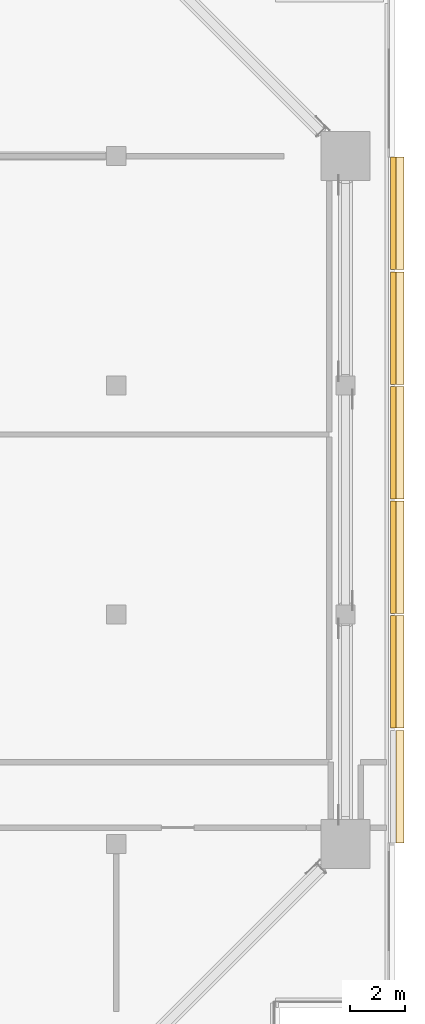
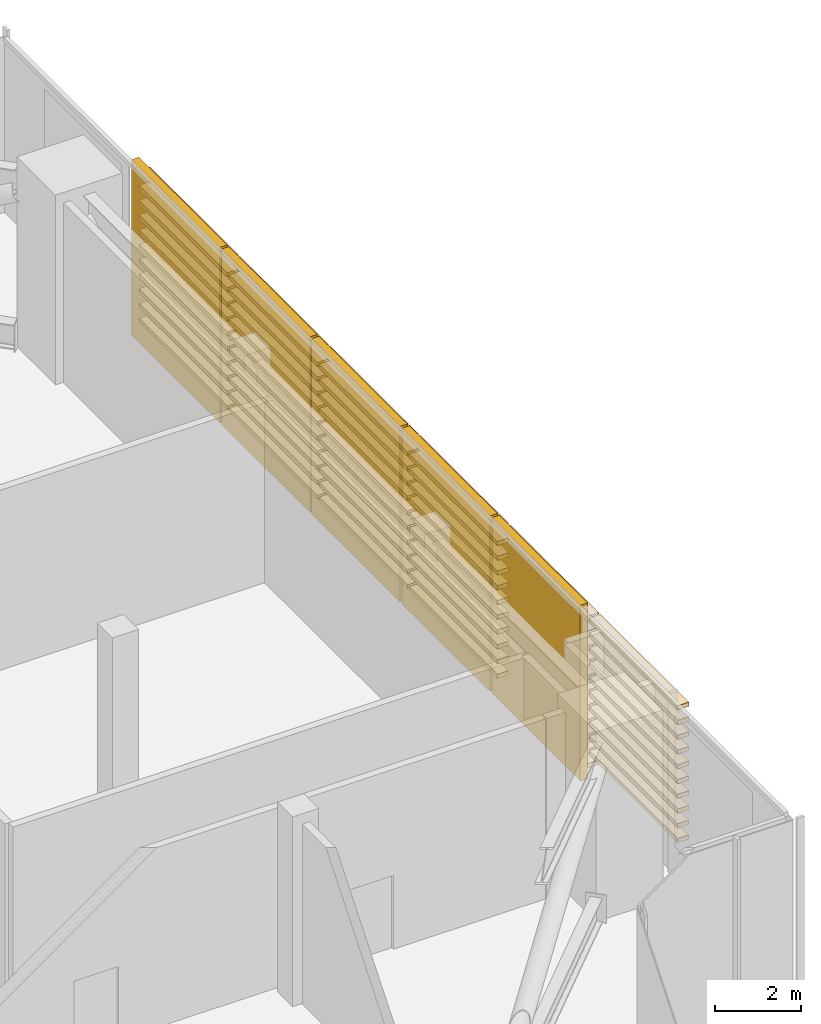
# One storey, part 29 of 29: 70 coverings.
"""IFC4 building model written with IfcOpenShell, lengths in metres."""

from ifc_helpers import new_model, si_unit, direction, frame, origin, place, context, subcontext, project, spatial, polyline, outline, extrude, material, layer, layer_set, type_object, element, save


model = new_model("IFC4")

# Units and contexts
model_context = context("Model", 3, precision=1e-05, world=origin(), true_north=direction((0.0, 1.0)))
body_context = subcontext(model_context, "Body", "Model", "MODEL_VIEW")
ifc_project = project(units=[si_unit("LENGTHUNIT", "METRE"), si_unit("AREAUNIT", "SQUARE_METRE"), si_unit("VOLUMEUNIT", "CUBIC_METRE"), si_unit("PLANEANGLEUNIT", "RADIAN"), si_unit("MASSUNIT", "GRAM", prefix="KILO")], contexts=[model_context])

# Site, building, storey
site_placement = place(None, origin())
site = spatial("IfcSite", under=ifc_project, at=site_placement, CompositionType="ELEMENT")
building_placement = place(site_placement, origin())
building = spatial("IfcBuilding", under=site, at=building_placement, Name="Saffron Gate Tower", CompositionType="ELEMENT")
storey_placement = place(building_placement, frame((0.0, 0.0, 142.050048828125)))
storey = spatial("IfcBuildingStorey", under=building, at=storey_placement, Name="L34", CompositionType="ELEMENT", Elevation=142.050048828125)

# Coverings
ifc_material = material(Name="Ceramic-printed bronze insulated panel")
ifc_layer_1 = layer(ifc_material, 0.199951171875)
ifc_layer_set_1 = layer_set([ifc_layer_1], Name="CLDB ceramic-printed backed panel 200")
covering_type_1 = type_object("IfcCoveringType", Name="CLDB ceramic-printed backed panel 200", PredefinedType="CLADDING", material=ifc_layer_set_1)
covering_1_placement = place(storey_placement, origin())
element("IfcCovering", 1, at=covering_1_placement, inside=storey, type_object=covering_type_1, Name="CLADDING backed panel behind the braces", PredefinedType="CLADDING", context=body_context, shape_type="SweptSolid", body=[
    extrude(outline(polyline([(127.239990234375, 44.43994140625), (127.239990234375, 48.56005859375), (127.0400390625, 48.56005859375), (127.0400390625, 44.43994140625), (127.239990234375, 44.43994140625)])), origin(), (0.0, 0.0, 1.0), 5.0),
])
covering_2_placement = place(storey_placement, origin())
element("IfcCovering", 2, at=covering_2_placement, inside=storey, type_object=covering_type_1, Name="CLADDING backed panel behind the braces", PredefinedType="CLADDING", context=body_context, shape_type="SweptSolid", body=[
    extrude(outline(polyline([(127.239990234375, 48.639892578125), (127.239990234375, 52.760009765625), (127.0400390625, 52.760009765625), (127.0400390625, 48.639892578125), (127.239990234375, 48.639892578125)])), origin(), (0.0, 0.0, 1.0), 5.0),
])
covering_3_placement = place(storey_placement, origin())
element("IfcCovering", 3, at=covering_3_placement, inside=storey, type_object=covering_type_1, Name="CLADDING backed panel behind the braces", PredefinedType="CLADDING", context=body_context, shape_type="SweptSolid", body=[
    extrude(outline(polyline([(127.239990234375, 52.840087890625), (127.239990234375, 56.9599609375), (127.0400390625, 56.9599609375), (127.0400390625, 52.840087890625), (127.239990234375, 52.840087890625)])), origin(), (0.0, 0.0, 1.0), 5.0),
])
covering_4_placement = place(storey_placement, origin())
element("IfcCovering", 4, at=covering_4_placement, inside=storey, type_object=covering_type_1, Name="CLADDING backed panel behind the braces", PredefinedType="CLADDING", context=body_context, shape_type="SweptSolid", body=[
    extrude(outline(polyline([(127.239990234375, 57.0400390625), (127.239990234375, 61.159912109375), (127.0400390625, 61.159912109375), (127.0400390625, 57.0400390625), (127.239990234375, 57.0400390625)])), origin(), (0.0, 0.0, 1.0), 5.0),
])
covering_5_placement = place(storey_placement, origin())
element("IfcCovering", 5, at=covering_5_placement, inside=storey, type_object=covering_type_1, Name="CLADDING backed panel behind the braces", PredefinedType="CLADDING", context=body_context, shape_type="SweptSolid", body=[
    extrude(outline(polyline([(127.239990234375, 61.239990234375), (127.239990234375, 65.360107421875), (127.0400390625, 65.360107421875), (127.0400390625, 61.239990234375), (127.239990234375, 61.239990234375)])), origin(), (0.0, 0.0, 1.0), 5.0),
])
ifc_layer_2 = layer(ifc_material, 0.1201171875)
ifc_layer_set_2 = layer_set([ifc_layer_2], Name="LV1 louvre slat 300")
covering_type_2 = type_object("IfcCoveringType", Name="LV1 louvre slat 300", PredefinedType="CLADDING", material=ifc_layer_set_2)
covering_6_placement = place(storey_placement, frame((0.0, 0.0, 0.719970703125)))
element("IfcCovering", 6, at=covering_6_placement, inside=storey, type_object=covering_type_2, Name="CLADDING louvre slat in front of the outrigger truss", PredefinedType="CLADDING", context=body_context, shape_type="SweptSolid", body=[
    extrude(outline(polyline([(127.5400390625, 40.239990234375), (127.5400390625, 44.360107421875), (127.239990234375, 44.360107421875), (127.239990234375, 40.239990234375), (127.5400390625, 40.239990234375)])), origin(), (0.0, 0.0, 1.0), 0.119873046875),
])
covering_7_placement = place(storey_placement, frame((0.0, 0.0, 1.139892578125)))
element("IfcCovering", 7, at=covering_7_placement, inside=storey, type_object=covering_type_2, Name="CLADDING louvre slat in front of the outrigger truss", PredefinedType="CLADDING", context=body_context, shape_type="SweptSolid", body=[
    extrude(outline(polyline([(127.5400390625, 40.239990234375), (127.5400390625, 44.360107421875), (127.239990234375, 44.360107421875), (127.239990234375, 40.239990234375), (127.5400390625, 40.239990234375)])), origin(), (0.0, 0.0, 1.0), 0.1201171875),
])
for number, where, name in (
    (8, (0.0, 0.0, 1.56005859375), "CLADDING louvre slat in front of the outrigger truss"),
    (9, (0.0, 0.0, 1.97998046875), "CLADDING louvre slat in front of the outrigger truss"),
):
    element("IfcCovering", number, at=place(storey_placement, frame(where)), inside=storey, type_object=covering_type_2, Name=name, PredefinedType="CLADDING", context=body_context, shape_type="SweptSolid", body=[
        extrude(outline(polyline([(127.5400390625, 40.239990234375), (127.5400390625, 44.360107421875), (127.239990234375, 44.360107421875), (127.239990234375, 40.239990234375), (127.5400390625, 40.239990234375)])), origin(), (0.0, 0.0, 1.0), 0.119873046875),
    ])
covering_8_placement = place(storey_placement, frame((0.0, 0.0, 2.39990234375)))
element("IfcCovering", 10, at=covering_8_placement, inside=storey, type_object=covering_type_2, Name="CLADDING louvre slat in front of the outrigger truss", PredefinedType="CLADDING", context=body_context, shape_type="SweptSolid", body=[
    extrude(outline(polyline([(127.5400390625, 40.239990234375), (127.5400390625, 44.360107421875), (127.239990234375, 44.360107421875), (127.239990234375, 40.239990234375), (127.5400390625, 40.239990234375)])), origin(), (0.0, 0.0, 1.0), 0.1201171875),
])
for number, where, name in (
    (11, (0.0, 0.0, 2.820068359375), "CLADDING louvre slat in front of the outrigger truss"),
    (12, (0.0, 0.0, 3.239990234375), "CLADDING louvre slat in front of the outrigger truss"),
):
    element("IfcCovering", number, at=place(storey_placement, frame(where)), inside=storey, type_object=covering_type_2, Name=name, PredefinedType="CLADDING", context=body_context, shape_type="SweptSolid", body=[
        extrude(outline(polyline([(127.5400390625, 40.239990234375), (127.5400390625, 44.360107421875), (127.239990234375, 44.360107421875), (127.239990234375, 40.239990234375), (127.5400390625, 40.239990234375)])), origin(), (0.0, 0.0, 1.0), 0.119873046875),
    ])
for number, where, name in (
    (13, (0.0, 0.0, 3.659912109375), "CLADDING louvre slat in front of the outrigger truss"),
    (14, (0.0, 0.0, 4.079833984375), "CLADDING louvre slat in front of the outrigger truss"),
):
    element("IfcCovering", number, at=place(storey_placement, frame(where)), inside=storey, type_object=covering_type_2, Name=name, PredefinedType="CLADDING", context=body_context, shape_type="SweptSolid", body=[
        extrude(outline(polyline([(127.5400390625, 40.239990234375), (127.5400390625, 44.360107421875), (127.239990234375, 44.360107421875), (127.239990234375, 40.239990234375), (127.5400390625, 40.239990234375)])), origin(), (0.0, 0.0, 1.0), 0.1201171875),
    ])
covering_9_placement = place(storey_placement, frame((0.0, 0.0, 4.5)))
element("IfcCovering", 15, at=covering_9_placement, inside=storey, type_object=covering_type_2, Name="CLADDING louvre slat in front of the outrigger truss", PredefinedType="CLADDING", context=body_context, shape_type="SweptSolid", body=[
    extrude(outline(polyline([(127.5400390625, 40.239990234375), (127.5400390625, 44.360107421875), (127.239990234375, 44.360107421875), (127.239990234375, 40.239990234375), (127.5400390625, 40.239990234375)])), origin(), (0.0, 0.0, 1.0), 0.119873046875),
])
for number, where, name in (
    (16, (0.0, 0.0, 0.300048828125), "CLADDING louvre slat in front of the outrigger truss"),
    (17, (0.0, 0.0, 0.719970703125), "CLADDING louvre slat in front of the outrigger truss"),
):
    element("IfcCovering", number, at=place(storey_placement, frame(where)), inside=storey, type_object=covering_type_2, Name=name, PredefinedType="CLADDING", context=body_context, shape_type="SweptSolid", body=[
        extrude(outline(polyline([(127.5400390625, 44.43994140625), (127.5400390625, 48.56005859375), (127.239990234375, 48.56005859375), (127.239990234375, 44.43994140625), (127.5400390625, 44.43994140625)])), origin(), (0.0, 0.0, 1.0), 0.119873046875),
    ])
covering_10_placement = place(storey_placement, frame((0.0, 0.0, 1.139892578125)))
element("IfcCovering", 18, at=covering_10_placement, inside=storey, type_object=covering_type_2, Name="CLADDING louvre slat in front of the outrigger truss", PredefinedType="CLADDING", context=body_context, shape_type="SweptSolid", body=[
    extrude(outline(polyline([(127.5400390625, 44.43994140625), (127.5400390625, 48.56005859375), (127.239990234375, 48.56005859375), (127.239990234375, 44.43994140625), (127.5400390625, 44.43994140625)])), origin(), (0.0, 0.0, 1.0), 0.1201171875),
])
for number, where, name in (
    (19, (0.0, 0.0, 1.56005859375), "CLADDING louvre slat in front of the outrigger truss"),
    (20, (0.0, 0.0, 1.97998046875), "CLADDING louvre slat in front of the outrigger truss"),
):
    element("IfcCovering", number, at=place(storey_placement, frame(where)), inside=storey, type_object=covering_type_2, Name=name, PredefinedType="CLADDING", context=body_context, shape_type="SweptSolid", body=[
        extrude(outline(polyline([(127.5400390625, 44.43994140625), (127.5400390625, 48.56005859375), (127.239990234375, 48.56005859375), (127.239990234375, 44.43994140625), (127.5400390625, 44.43994140625)])), origin(), (0.0, 0.0, 1.0), 0.119873046875),
    ])
covering_11_placement = place(storey_placement, frame((0.0, 0.0, 2.39990234375)))
element("IfcCovering", 21, at=covering_11_placement, inside=storey, type_object=covering_type_2, Name="CLADDING louvre slat in front of the outrigger truss", PredefinedType="CLADDING", context=body_context, shape_type="SweptSolid", body=[
    extrude(outline(polyline([(127.5400390625, 44.43994140625), (127.5400390625, 48.56005859375), (127.239990234375, 48.56005859375), (127.239990234375, 44.43994140625), (127.5400390625, 44.43994140625)])), origin(), (0.0, 0.0, 1.0), 0.1201171875),
])
for number, where, name in (
    (22, (0.0, 0.0, 2.820068359375), "CLADDING louvre slat in front of the outrigger truss"),
    (23, (0.0, 0.0, 3.239990234375), "CLADDING louvre slat in front of the outrigger truss"),
):
    element("IfcCovering", number, at=place(storey_placement, frame(where)), inside=storey, type_object=covering_type_2, Name=name, PredefinedType="CLADDING", context=body_context, shape_type="SweptSolid", body=[
        extrude(outline(polyline([(127.5400390625, 44.43994140625), (127.5400390625, 48.56005859375), (127.239990234375, 48.56005859375), (127.239990234375, 44.43994140625), (127.5400390625, 44.43994140625)])), origin(), (0.0, 0.0, 1.0), 0.119873046875),
    ])
for number, where, name in (
    (24, (0.0, 0.0, 3.659912109375), "CLADDING louvre slat in front of the outrigger truss"),
    (25, (0.0, 0.0, 4.079833984375), "CLADDING louvre slat in front of the outrigger truss"),
):
    element("IfcCovering", number, at=place(storey_placement, frame(where)), inside=storey, type_object=covering_type_2, Name=name, PredefinedType="CLADDING", context=body_context, shape_type="SweptSolid", body=[
        extrude(outline(polyline([(127.5400390625, 44.43994140625), (127.5400390625, 48.56005859375), (127.239990234375, 48.56005859375), (127.239990234375, 44.43994140625), (127.5400390625, 44.43994140625)])), origin(), (0.0, 0.0, 1.0), 0.1201171875),
    ])
covering_12_placement = place(storey_placement, frame((0.0, 0.0, 4.5)))
element("IfcCovering", 26, at=covering_12_placement, inside=storey, type_object=covering_type_2, Name="CLADDING louvre slat in front of the outrigger truss", PredefinedType="CLADDING", context=body_context, shape_type="SweptSolid", body=[
    extrude(outline(polyline([(127.5400390625, 44.43994140625), (127.5400390625, 48.56005859375), (127.239990234375, 48.56005859375), (127.239990234375, 44.43994140625), (127.5400390625, 44.43994140625)])), origin(), (0.0, 0.0, 1.0), 0.119873046875),
])
for number, where, name in (
    (27, (0.0, 0.0, 0.300048828125), "CLADDING louvre slat in front of the outrigger truss"),
    (28, (0.0, 0.0, 0.719970703125), "CLADDING louvre slat in front of the outrigger truss"),
):
    element("IfcCovering", number, at=place(storey_placement, frame(where)), inside=storey, type_object=covering_type_2, Name=name, PredefinedType="CLADDING", context=body_context, shape_type="SweptSolid", body=[
        extrude(outline(polyline([(127.5400390625, 48.639892578125), (127.5400390625, 52.760009765625), (127.239990234375, 52.760009765625), (127.239990234375, 48.639892578125), (127.5400390625, 48.639892578125)])), origin(), (0.0, 0.0, 1.0), 0.119873046875),
    ])
covering_13_placement = place(storey_placement, frame((0.0, 0.0, 1.139892578125)))
element("IfcCovering", 29, at=covering_13_placement, inside=storey, type_object=covering_type_2, Name="CLADDING louvre slat in front of the outrigger truss", PredefinedType="CLADDING", context=body_context, shape_type="SweptSolid", body=[
    extrude(outline(polyline([(127.5400390625, 48.639892578125), (127.5400390625, 52.760009765625), (127.239990234375, 52.760009765625), (127.239990234375, 48.639892578125), (127.5400390625, 48.639892578125)])), origin(), (0.0, 0.0, 1.0), 0.1201171875),
])
for number, where, name in (
    (30, (0.0, 0.0, 1.56005859375), "CLADDING louvre slat in front of the outrigger truss"),
    (31, (0.0, 0.0, 1.97998046875), "CLADDING louvre slat in front of the outrigger truss"),
):
    element("IfcCovering", number, at=place(storey_placement, frame(where)), inside=storey, type_object=covering_type_2, Name=name, PredefinedType="CLADDING", context=body_context, shape_type="SweptSolid", body=[
        extrude(outline(polyline([(127.5400390625, 48.639892578125), (127.5400390625, 52.760009765625), (127.239990234375, 52.760009765625), (127.239990234375, 48.639892578125), (127.5400390625, 48.639892578125)])), origin(), (0.0, 0.0, 1.0), 0.119873046875),
    ])
covering_14_placement = place(storey_placement, frame((0.0, 0.0, 2.39990234375)))
element("IfcCovering", 32, at=covering_14_placement, inside=storey, type_object=covering_type_2, Name="CLADDING louvre slat in front of the outrigger truss", PredefinedType="CLADDING", context=body_context, shape_type="SweptSolid", body=[
    extrude(outline(polyline([(127.5400390625, 48.639892578125), (127.5400390625, 52.760009765625), (127.239990234375, 52.760009765625), (127.239990234375, 48.639892578125), (127.5400390625, 48.639892578125)])), origin(), (0.0, 0.0, 1.0), 0.1201171875),
])
for number, where, name in (
    (33, (0.0, 0.0, 2.820068359375), "CLADDING louvre slat in front of the outrigger truss"),
    (34, (0.0, 0.0, 3.239990234375), "CLADDING louvre slat in front of the outrigger truss"),
):
    element("IfcCovering", number, at=place(storey_placement, frame(where)), inside=storey, type_object=covering_type_2, Name=name, PredefinedType="CLADDING", context=body_context, shape_type="SweptSolid", body=[
        extrude(outline(polyline([(127.5400390625, 48.639892578125), (127.5400390625, 52.760009765625), (127.239990234375, 52.760009765625), (127.239990234375, 48.639892578125), (127.5400390625, 48.639892578125)])), origin(), (0.0, 0.0, 1.0), 0.119873046875),
    ])
for number, where, name in (
    (35, (0.0, 0.0, 3.659912109375), "CLADDING louvre slat in front of the outrigger truss"),
    (36, (0.0, 0.0, 4.079833984375), "CLADDING louvre slat in front of the outrigger truss"),
):
    element("IfcCovering", number, at=place(storey_placement, frame(where)), inside=storey, type_object=covering_type_2, Name=name, PredefinedType="CLADDING", context=body_context, shape_type="SweptSolid", body=[
        extrude(outline(polyline([(127.5400390625, 48.639892578125), (127.5400390625, 52.760009765625), (127.239990234375, 52.760009765625), (127.239990234375, 48.639892578125), (127.5400390625, 48.639892578125)])), origin(), (0.0, 0.0, 1.0), 0.1201171875),
    ])
covering_15_placement = place(storey_placement, frame((0.0, 0.0, 4.5)))
element("IfcCovering", 37, at=covering_15_placement, inside=storey, type_object=covering_type_2, Name="CLADDING louvre slat in front of the outrigger truss", PredefinedType="CLADDING", context=body_context, shape_type="SweptSolid", body=[
    extrude(outline(polyline([(127.5400390625, 48.639892578125), (127.5400390625, 52.760009765625), (127.239990234375, 52.760009765625), (127.239990234375, 48.639892578125), (127.5400390625, 48.639892578125)])), origin(), (0.0, 0.0, 1.0), 0.119873046875),
])
for number, where, name in (
    (38, (0.0, 0.0, 0.300048828125), "CLADDING louvre slat in front of the outrigger truss"),
    (39, (0.0, 0.0, 0.719970703125), "CLADDING louvre slat in front of the outrigger truss"),
):
    element("IfcCovering", number, at=place(storey_placement, frame(where)), inside=storey, type_object=covering_type_2, Name=name, PredefinedType="CLADDING", context=body_context, shape_type="SweptSolid", body=[
        extrude(outline(polyline([(127.5400390625, 52.840087890625), (127.5400390625, 56.9599609375), (127.239990234375, 56.9599609375), (127.239990234375, 52.840087890625), (127.5400390625, 52.840087890625)])), origin(), (0.0, 0.0, 1.0), 0.119873046875),
    ])
covering_16_placement = place(storey_placement, frame((0.0, 0.0, 1.139892578125)))
element("IfcCovering", 40, at=covering_16_placement, inside=storey, type_object=covering_type_2, Name="CLADDING louvre slat in front of the outrigger truss", PredefinedType="CLADDING", context=body_context, shape_type="SweptSolid", body=[
    extrude(outline(polyline([(127.5400390625, 52.840087890625), (127.5400390625, 56.9599609375), (127.239990234375, 56.9599609375), (127.239990234375, 52.840087890625), (127.5400390625, 52.840087890625)])), origin(), (0.0, 0.0, 1.0), 0.1201171875),
])
for number, where, name in (
    (41, (0.0, 0.0, 1.56005859375), "CLADDING louvre slat in front of the outrigger truss"),
    (42, (0.0, 0.0, 1.97998046875), "CLADDING louvre slat in front of the outrigger truss"),
):
    element("IfcCovering", number, at=place(storey_placement, frame(where)), inside=storey, type_object=covering_type_2, Name=name, PredefinedType="CLADDING", context=body_context, shape_type="SweptSolid", body=[
        extrude(outline(polyline([(127.5400390625, 52.840087890625), (127.5400390625, 56.9599609375), (127.239990234375, 56.9599609375), (127.239990234375, 52.840087890625), (127.5400390625, 52.840087890625)])), origin(), (0.0, 0.0, 1.0), 0.119873046875),
    ])
covering_17_placement = place(storey_placement, frame((0.0, 0.0, 2.39990234375)))
element("IfcCovering", 43, at=covering_17_placement, inside=storey, type_object=covering_type_2, Name="CLADDING louvre slat in front of the outrigger truss", PredefinedType="CLADDING", context=body_context, shape_type="SweptSolid", body=[
    extrude(outline(polyline([(127.5400390625, 52.840087890625), (127.5400390625, 56.9599609375), (127.239990234375, 56.9599609375), (127.239990234375, 52.840087890625), (127.5400390625, 52.840087890625)])), origin(), (0.0, 0.0, 1.0), 0.1201171875),
])
for number, where, name in (
    (44, (0.0, 0.0, 2.820068359375), "CLADDING louvre slat in front of the outrigger truss"),
    (45, (0.0, 0.0, 3.239990234375), "CLADDING louvre slat in front of the outrigger truss"),
):
    element("IfcCovering", number, at=place(storey_placement, frame(where)), inside=storey, type_object=covering_type_2, Name=name, PredefinedType="CLADDING", context=body_context, shape_type="SweptSolid", body=[
        extrude(outline(polyline([(127.5400390625, 52.840087890625), (127.5400390625, 56.9599609375), (127.239990234375, 56.9599609375), (127.239990234375, 52.840087890625), (127.5400390625, 52.840087890625)])), origin(), (0.0, 0.0, 1.0), 0.119873046875),
    ])
for number, where, name in (
    (46, (0.0, 0.0, 3.659912109375), "CLADDING louvre slat in front of the outrigger truss"),
    (47, (0.0, 0.0, 4.079833984375), "CLADDING louvre slat in front of the outrigger truss"),
):
    element("IfcCovering", number, at=place(storey_placement, frame(where)), inside=storey, type_object=covering_type_2, Name=name, PredefinedType="CLADDING", context=body_context, shape_type="SweptSolid", body=[
        extrude(outline(polyline([(127.5400390625, 52.840087890625), (127.5400390625, 56.9599609375), (127.239990234375, 56.9599609375), (127.239990234375, 52.840087890625), (127.5400390625, 52.840087890625)])), origin(), (0.0, 0.0, 1.0), 0.1201171875),
    ])
covering_18_placement = place(storey_placement, frame((0.0, 0.0, 4.5)))
element("IfcCovering", 48, at=covering_18_placement, inside=storey, type_object=covering_type_2, Name="CLADDING louvre slat in front of the outrigger truss", PredefinedType="CLADDING", context=body_context, shape_type="SweptSolid", body=[
    extrude(outline(polyline([(127.5400390625, 52.840087890625), (127.5400390625, 56.9599609375), (127.239990234375, 56.9599609375), (127.239990234375, 52.840087890625), (127.5400390625, 52.840087890625)])), origin(), (0.0, 0.0, 1.0), 0.119873046875),
])
for number, where, name in (
    (49, (0.0, 0.0, 0.300048828125), "CLADDING louvre slat in front of the outrigger truss"),
    (50, (0.0, 0.0, 0.719970703125), "CLADDING louvre slat in front of the outrigger truss"),
):
    element("IfcCovering", number, at=place(storey_placement, frame(where)), inside=storey, type_object=covering_type_2, Name=name, PredefinedType="CLADDING", context=body_context, shape_type="SweptSolid", body=[
        extrude(outline(polyline([(127.5400390625, 57.0400390625), (127.5400390625, 61.159912109375), (127.239990234375, 61.159912109375), (127.239990234375, 57.0400390625), (127.5400390625, 57.0400390625)])), origin(), (0.0, 0.0, 1.0), 0.119873046875),
    ])
covering_19_placement = place(storey_placement, frame((0.0, 0.0, 1.139892578125)))
element("IfcCovering", 51, at=covering_19_placement, inside=storey, type_object=covering_type_2, Name="CLADDING louvre slat in front of the outrigger truss", PredefinedType="CLADDING", context=body_context, shape_type="SweptSolid", body=[
    extrude(outline(polyline([(127.5400390625, 57.0400390625), (127.5400390625, 61.159912109375), (127.239990234375, 61.159912109375), (127.239990234375, 57.0400390625), (127.5400390625, 57.0400390625)])), origin(), (0.0, 0.0, 1.0), 0.1201171875),
])
for number, where, name in (
    (52, (0.0, 0.0, 1.56005859375), "CLADDING louvre slat in front of the outrigger truss"),
    (53, (0.0, 0.0, 1.97998046875), "CLADDING louvre slat in front of the outrigger truss"),
):
    element("IfcCovering", number, at=place(storey_placement, frame(where)), inside=storey, type_object=covering_type_2, Name=name, PredefinedType="CLADDING", context=body_context, shape_type="SweptSolid", body=[
        extrude(outline(polyline([(127.5400390625, 57.0400390625), (127.5400390625, 61.159912109375), (127.239990234375, 61.159912109375), (127.239990234375, 57.0400390625), (127.5400390625, 57.0400390625)])), origin(), (0.0, 0.0, 1.0), 0.119873046875),
    ])
covering_20_placement = place(storey_placement, frame((0.0, 0.0, 2.39990234375)))
element("IfcCovering", 54, at=covering_20_placement, inside=storey, type_object=covering_type_2, Name="CLADDING louvre slat in front of the outrigger truss", PredefinedType="CLADDING", context=body_context, shape_type="SweptSolid", body=[
    extrude(outline(polyline([(127.5400390625, 57.0400390625), (127.5400390625, 61.159912109375), (127.239990234375, 61.159912109375), (127.239990234375, 57.0400390625), (127.5400390625, 57.0400390625)])), origin(), (0.0, 0.0, 1.0), 0.1201171875),
])
for number, where, name in (
    (55, (0.0, 0.0, 2.820068359375), "CLADDING louvre slat in front of the outrigger truss"),
    (56, (0.0, 0.0, 3.239990234375), "CLADDING louvre slat in front of the outrigger truss"),
):
    element("IfcCovering", number, at=place(storey_placement, frame(where)), inside=storey, type_object=covering_type_2, Name=name, PredefinedType="CLADDING", context=body_context, shape_type="SweptSolid", body=[
        extrude(outline(polyline([(127.5400390625, 57.0400390625), (127.5400390625, 61.159912109375), (127.239990234375, 61.159912109375), (127.239990234375, 57.0400390625), (127.5400390625, 57.0400390625)])), origin(), (0.0, 0.0, 1.0), 0.119873046875),
    ])
for number, where, name in (
    (57, (0.0, 0.0, 3.659912109375), "CLADDING louvre slat in front of the outrigger truss"),
    (58, (0.0, 0.0, 4.079833984375), "CLADDING louvre slat in front of the outrigger truss"),
):
    element("IfcCovering", number, at=place(storey_placement, frame(where)), inside=storey, type_object=covering_type_2, Name=name, PredefinedType="CLADDING", context=body_context, shape_type="SweptSolid", body=[
        extrude(outline(polyline([(127.5400390625, 57.0400390625), (127.5400390625, 61.159912109375), (127.239990234375, 61.159912109375), (127.239990234375, 57.0400390625), (127.5400390625, 57.0400390625)])), origin(), (0.0, 0.0, 1.0), 0.1201171875),
    ])
covering_21_placement = place(storey_placement, frame((0.0, 0.0, 4.5)))
element("IfcCovering", 59, at=covering_21_placement, inside=storey, type_object=covering_type_2, Name="CLADDING louvre slat in front of the outrigger truss", PredefinedType="CLADDING", context=body_context, shape_type="SweptSolid", body=[
    extrude(outline(polyline([(127.5400390625, 57.0400390625), (127.5400390625, 61.159912109375), (127.239990234375, 61.159912109375), (127.239990234375, 57.0400390625), (127.5400390625, 57.0400390625)])), origin(), (0.0, 0.0, 1.0), 0.119873046875),
])
for number, where, name in (
    (60, (0.0, 0.0, 0.300048828125), "CLADDING louvre slat in front of the outrigger truss"),
    (61, (0.0, 0.0, 0.719970703125), "CLADDING louvre slat in front of the outrigger truss"),
):
    element("IfcCovering", number, at=place(storey_placement, frame(where)), inside=storey, type_object=covering_type_2, Name=name, PredefinedType="CLADDING", context=body_context, shape_type="SweptSolid", body=[
        extrude(outline(polyline([(127.5400390625, 61.239990234375), (127.5400390625, 65.360107421875), (127.239990234375, 65.360107421875), (127.239990234375, 61.239990234375), (127.5400390625, 61.239990234375)])), origin(), (0.0, 0.0, 1.0), 0.119873046875),
    ])
covering_22_placement = place(storey_placement, frame((0.0, 0.0, 1.139892578125)))
element("IfcCovering", 62, at=covering_22_placement, inside=storey, type_object=covering_type_2, Name="CLADDING louvre slat in front of the outrigger truss", PredefinedType="CLADDING", context=body_context, shape_type="SweptSolid", body=[
    extrude(outline(polyline([(127.5400390625, 61.239990234375), (127.5400390625, 65.360107421875), (127.239990234375, 65.360107421875), (127.239990234375, 61.239990234375), (127.5400390625, 61.239990234375)])), origin(), (0.0, 0.0, 1.0), 0.1201171875),
])
for number, where, name in (
    (63, (0.0, 0.0, 1.56005859375), "CLADDING louvre slat in front of the outrigger truss"),
    (64, (0.0, 0.0, 1.97998046875), "CLADDING louvre slat in front of the outrigger truss"),
):
    element("IfcCovering", number, at=place(storey_placement, frame(where)), inside=storey, type_object=covering_type_2, Name=name, PredefinedType="CLADDING", context=body_context, shape_type="SweptSolid", body=[
        extrude(outline(polyline([(127.5400390625, 61.239990234375), (127.5400390625, 65.360107421875), (127.239990234375, 65.360107421875), (127.239990234375, 61.239990234375), (127.5400390625, 61.239990234375)])), origin(), (0.0, 0.0, 1.0), 0.119873046875),
    ])
covering_23_placement = place(storey_placement, frame((0.0, 0.0, 2.39990234375)))
element("IfcCovering", 65, at=covering_23_placement, inside=storey, type_object=covering_type_2, Name="CLADDING louvre slat in front of the outrigger truss", PredefinedType="CLADDING", context=body_context, shape_type="SweptSolid", body=[
    extrude(outline(polyline([(127.5400390625, 61.239990234375), (127.5400390625, 65.360107421875), (127.239990234375, 65.360107421875), (127.239990234375, 61.239990234375), (127.5400390625, 61.239990234375)])), origin(), (0.0, 0.0, 1.0), 0.1201171875),
])
for number, where, name in (
    (66, (0.0, 0.0, 2.820068359375), "CLADDING louvre slat in front of the outrigger truss"),
    (67, (0.0, 0.0, 3.239990234375), "CLADDING louvre slat in front of the outrigger truss"),
):
    element("IfcCovering", number, at=place(storey_placement, frame(where)), inside=storey, type_object=covering_type_2, Name=name, PredefinedType="CLADDING", context=body_context, shape_type="SweptSolid", body=[
        extrude(outline(polyline([(127.5400390625, 61.239990234375), (127.5400390625, 65.360107421875), (127.239990234375, 65.360107421875), (127.239990234375, 61.239990234375), (127.5400390625, 61.239990234375)])), origin(), (0.0, 0.0, 1.0), 0.119873046875),
    ])
for number, where, name in (
    (68, (0.0, 0.0, 3.659912109375), "CLADDING louvre slat in front of the outrigger truss"),
    (69, (0.0, 0.0, 4.079833984375), "CLADDING louvre slat in front of the outrigger truss"),
):
    element("IfcCovering", number, at=place(storey_placement, frame(where)), inside=storey, type_object=covering_type_2, Name=name, PredefinedType="CLADDING", context=body_context, shape_type="SweptSolid", body=[
        extrude(outline(polyline([(127.5400390625, 61.239990234375), (127.5400390625, 65.360107421875), (127.239990234375, 65.360107421875), (127.239990234375, 61.239990234375), (127.5400390625, 61.239990234375)])), origin(), (0.0, 0.0, 1.0), 0.1201171875),
    ])
covering_24_placement = place(storey_placement, frame((0.0, 0.0, 4.5)))
element("IfcCovering", 70, at=covering_24_placement, inside=storey, type_object=covering_type_2, Name="CLADDING louvre slat in front of the outrigger truss", PredefinedType="CLADDING", context=body_context, shape_type="SweptSolid", body=[
    extrude(outline(polyline([(127.5400390625, 61.239990234375), (127.5400390625, 65.360107421875), (127.239990234375, 65.360107421875), (127.239990234375, 61.239990234375), (127.5400390625, 61.239990234375)])), origin(), (0.0, 0.0, 1.0), 0.119873046875),
])

save(model, "model.ifc")
